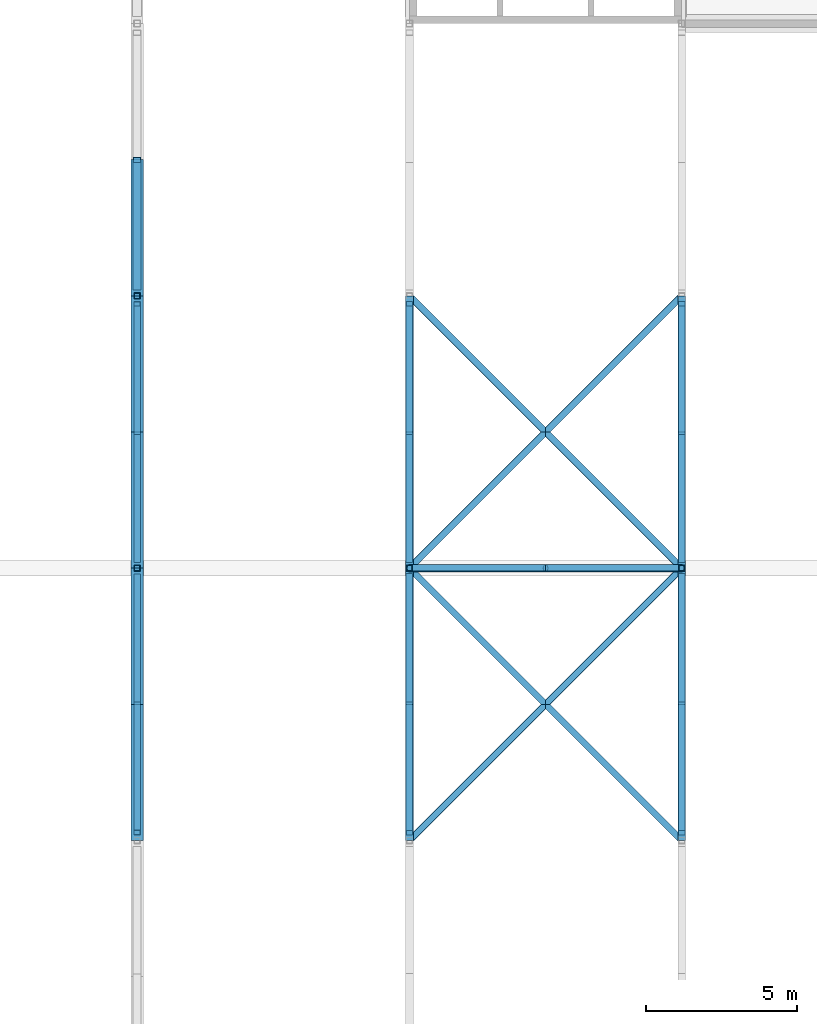
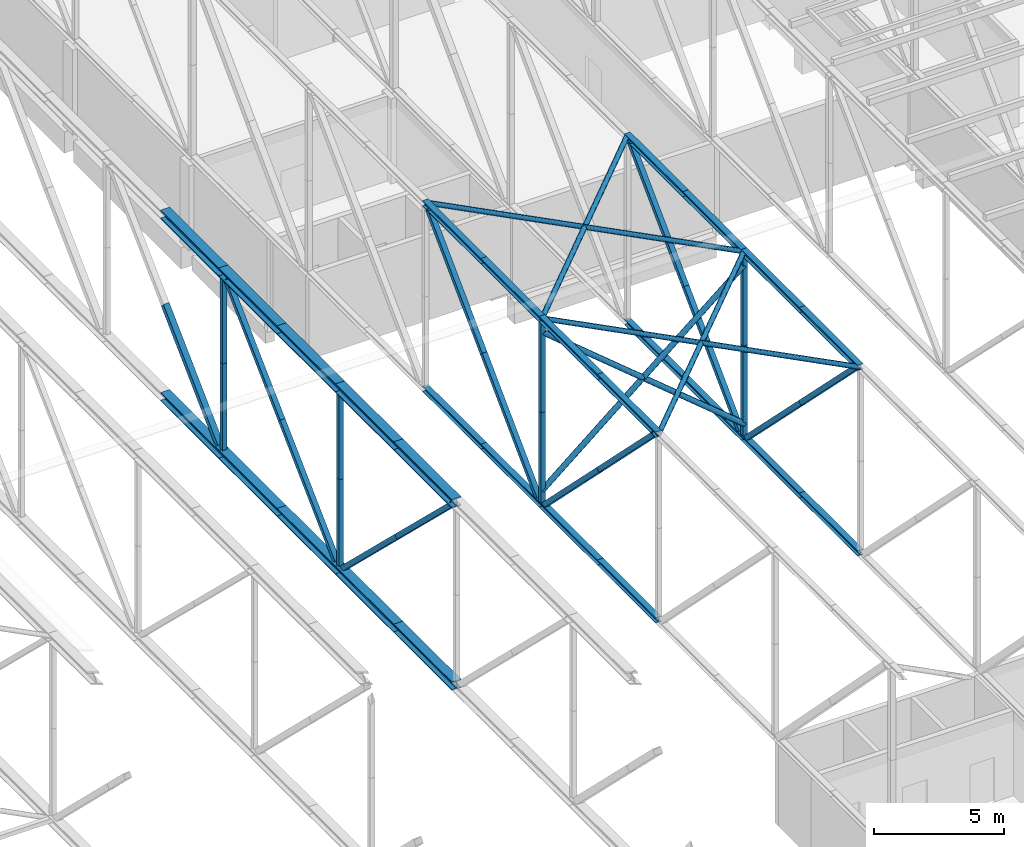
# One storey, part 73 of 646: 59 members.
"""IFC4 building model written with IfcOpenShell, lengths in metres."""

from ifc_helpers import new_model, si_unit, direction, frame, origin, origin_2d, place, context, subcontext, project, spatial, hollow_rectangle, hollow_circle, i_section, extrude, material, material_profile, profile_set, type_object, element, save


model = new_model("IFC4")

# Units and contexts
model_context = context("Model", 3, precision=1e-05, world=origin(), true_north=direction((0.0, 1.0)))
body_context = subcontext(model_context, "Body", "Model", "MODEL_VIEW")
ifc_project = project(units=[si_unit("LENGTHUNIT", "METRE"), si_unit("AREAUNIT", "SQUARE_METRE"), si_unit("VOLUMEUNIT", "CUBIC_METRE"), si_unit("PLANEANGLEUNIT", "RADIAN"), si_unit("MASSUNIT", "GRAM", prefix="KILO")], contexts=[model_context])

# Site, building, storey
site_placement = place(None, origin())
site = spatial("IfcSite", under=ifc_project, at=site_placement, CompositionType="ELEMENT")
building_placement = place(site_placement, origin())
building = spatial("IfcBuilding", under=site, at=building_placement, Name="Silverbay Arena", CompositionType="ELEMENT")
storey_placement = place(building_placement, frame((0.0, 0.0, 33.5)))
storey = spatial("IfcBuildingStorey", under=building, at=storey_placement, Name="L05", CompositionType="ELEMENT", Elevation=33.5)

# Members
ifc_material_1 = material(Name="Steel S355", Category="steel")
ifc_material_profile_1 = material_profile(ifc_material_1, i_section(OverallWidth=0.403076171875, OverallDepth=0.406494140625, WebThickness=0.026611328125, FlangeThickness=0.04296875, at=origin_2d()), Name="UC 356x406x340")
ifc_profile_set_1 = profile_set([ifc_material_profile_1], Name="Steel S355")
member_type_1 = type_object("IfcMemberType", Name="Main-span bottom chord UC 356x406x340", PredefinedType="CHORD", material=ifc_profile_set_1)
for number, where, z_axis, x_axis, name in (
    (1, (153.0, 72.0, 4.203125), (0.0, 1.0, 0.0), (-1.0, 0.0, 0.0), "ROOF TRUSS 18 bottom chord 08a"),
    (2, (153.0, 76.5, 4.203125), (0.0, 1.0, 0.0), (-1.0, 0.0, 0.0), "ROOF TRUSS 18 bottom chord 08b"),
    (3, (153.0, 81.0, 4.203125), (0.0, 1.0, 0.0), (-1.0, 0.0, 0.0), "ROOF TRUSS 18 bottom chord 09a"),
    (4, (153.0, 85.5, 4.203125), (0.0, 1.0, 0.0), (-1.0, 0.0, 0.0), "ROOF TRUSS 18 bottom chord 09b"),
    (5, (153.0, 90.0, 4.203125), (0.0, 1.0, 0.0), (-1.0, 0.0, 0.0), "ROOF TRUSS 18 bottom chord 10a"),
):
    element("IfcMember", number, at=place(storey_placement, frame(where, z_axis=z_axis, x_axis=x_axis)), inside=storey, type_object=member_type_1, Name=name, PredefinedType="CHORD", context=body_context, shape_type="SweptSolid", body=[
        extrude(i_section(OverallWidth=0.403076171875, OverallDepth=0.406494140625, WebThickness=0.026611328125, FlangeThickness=0.04296875, at=origin_2d()), origin(), (0.0, 0.0, 1.0), 4.5),
    ])
ifc_material_2 = material(Name="Steel S355", Category="steel")
ifc_material_profile_2 = material_profile(ifc_material_2, i_section(OverallWidth=0.406982421875, OverallDepth=0.4189453125, WebThickness=0.030517578125, FlangeThickness=0.04931640625, at=origin_2d()), Name="UC 356x406x393")
ifc_profile_set_2 = profile_set([ifc_material_profile_2], Name="Steel S355")
member_type_2 = type_object("IfcMemberType", Name="Main-span top chord UC 356x406x393", PredefinedType="CHORD", material=ifc_profile_set_2)
for number, where, z_axis, x_axis, name in (
    (6, (153.0, 72.0, 12.79052734375), (0.0, 1.0, 0.0), (-1.0, 0.0, 0.0), "ROOF TRUSS 18 top chord 08a"),
    (7, (153.0, 76.5, 12.79052734375), (0.0, 1.0, 0.0), (-1.0, 0.0, 0.0), "ROOF TRUSS 18 top chord 08b"),
    (8, (153.0, 81.0, 12.79052734375), (0.0, 1.0, 0.0), (-1.0, 0.0, 0.0), "ROOF TRUSS 18 top chord 09a"),
    (9, (153.0, 85.5, 12.79052734375), (0.0, 1.0, 0.0), (-1.0, 0.0, 0.0), "ROOF TRUSS 18 top chord 09b"),
    (10, (153.0, 90.0, 12.79052734375), (0.0, 1.0, 0.0), (-1.0, 0.0, 0.0), "ROOF TRUSS 18 top chord 10a"),
):
    element("IfcMember", number, at=place(storey_placement, frame(where, z_axis=z_axis, x_axis=x_axis)), inside=storey, type_object=member_type_2, Name=name, PredefinedType="CHORD", context=body_context, shape_type="SweptSolid", body=[
        extrude(i_section(OverallWidth=0.406982421875, OverallDepth=0.4189453125, WebThickness=0.030517578125, FlangeThickness=0.04931640625, at=origin_2d()), origin(), (0.0, 0.0, 1.0), 4.5),
    ])
ifc_material_3 = material(Name="Steel S355", Category="steel")
ifc_material_profile_3 = material_profile(ifc_material_3, hollow_rectangle(XDim=0.219970703125, YDim=0.219970703125, WallThickness=0.010009765625, at=origin_2d()), Name="SHS 220x220x10")
ifc_profile_set_3 = profile_set([ifc_material_profile_3], Name="Steel S355")
member_type_3 = type_object("IfcMemberType", Name="Main-span truss diagonal SHS 220x220x10", PredefinedType="BRACE", material=ifc_profile_set_3)
member_1_placement = place(storey_placement, frame((153.0, 72.263671875, 12.5810546875), z_axis=(0.0, 0.719642957034, -0.694344305364), x_axis=(-1.0, 0.0, 0.0)))
element("IfcMember", 11, at=member_1_placement, inside=storey, type_object=member_type_3, Name="ROOF TRUSS 18 diagonal 08a", PredefinedType="BRACE", context=body_context, shape_type="SweptSolid", body=[
    extrude(hollow_rectangle(XDim=0.219970703125, YDim=0.219970703125, WallThickness=0.010009765625, at=origin_2d()), origin(), (0.0, 0.0, 1.0), 5.88671875),
])
member_2_placement = place(storey_placement, frame((153.0, 76.5, 8.49365234375), z_axis=(0.0, 0.719663680638, -0.694322826047), x_axis=(-1.0, 0.0, 0.0)))
element("IfcMember", 12, at=member_2_placement, inside=storey, type_object=member_type_3, Name="ROOF TRUSS 18 diagonal 08b", PredefinedType="BRACE", context=body_context, shape_type="SweptSolid", body=[
    extrude(hollow_rectangle(XDim=0.219970703125, YDim=0.219970703125, WallThickness=0.010009765625, at=origin_2d()), origin(), (0.0, 0.0, 1.0), 5.886474609375),
])
member_3_placement = place(storey_placement, frame((153.0, 89.736328125, 12.5810546875), z_axis=(0.0, -0.719642957034, -0.694344305364), x_axis=(1.0, 0.0, 0.0)))
element("IfcMember", 13, at=member_3_placement, inside=storey, type_object=member_type_3, Name="ROOF TRUSS 18 diagonal 09a", PredefinedType="BRACE", context=body_context, shape_type="SweptSolid", body=[
    extrude(hollow_rectangle(XDim=0.219970703125, YDim=0.219970703125, WallThickness=0.010009765625, at=origin_2d()), origin(), (0.0, 0.0, 1.0), 5.88671875),
])
member_4_placement = place(storey_placement, frame((153.0, 85.5, 8.49365234375), z_axis=(0.0, -0.719663680638, -0.694322826047), x_axis=(1.0, 0.0, 0.0)))
element("IfcMember", 14, at=member_4_placement, inside=storey, type_object=member_type_3, Name="ROOF TRUSS 18 diagonal 09b", PredefinedType="BRACE", context=body_context, shape_type="SweptSolid", body=[
    extrude(hollow_rectangle(XDim=0.219970703125, YDim=0.219970703125, WallThickness=0.010009765625, at=origin_2d()), origin(), (0.0, 0.0, 1.0), 5.886474609375),
])
ifc_material_4 = material(Name="Steel S355", Category="steel")
ifc_material_profile_4 = material_profile(ifc_material_4, hollow_rectangle(XDim=0.260009765625, YDim=0.260009765625, WallThickness=0.012451171875, at=origin_2d()), Name="SHS 260x260x12.5")
ifc_profile_set_4 = profile_set([ifc_material_profile_4], Name="Steel S355")
member_type_4 = type_object("IfcMemberType", Name="Main-span truss diagonal SHS 260x260x12.5", PredefinedType="BRACE", material=ifc_profile_set_4)
member_5_placement = place(storey_placement, frame((153.0, 94.4951171875, 8.49365234375), z_axis=(0.0, -0.716806382858, -0.697272263534), x_axis=(1.0, 0.0, 0.0)))
element("IfcMember", 15, at=member_5_placement, inside=storey, type_object=member_type_4, Name="ROOF TRUSS 18 diagonal 10b", PredefinedType="BRACE", context=body_context, shape_type="SweptSolid", body=[
    extrude(hollow_rectangle(XDim=0.260009765625, YDim=0.260009765625, WallThickness=0.012451171875, at=origin_2d()), origin(), (0.0, 0.0, 1.0), 5.861572265625),
])
ifc_material_5 = material(Name="Steel S355", Category="steel")
ifc_material_profile_5 = material_profile(ifc_material_5, hollow_rectangle(XDim=0.199951171875, YDim=0.199951171875, WallThickness=0.008056640625, at=origin_2d()), Name="SHS 200x200x8")
ifc_profile_set_5 = profile_set([ifc_material_profile_5], Name="Steel S355")
member_type_5 = type_object("IfcMemberType", Name="Main-span truss vertical SHS 200x200x8", PredefinedType="STRUT", material=ifc_profile_set_5)
member_6_placement = place(storey_placement, frame((153.0, 81.0, 4.406494140625), z_axis=(0.0, 0.0, 1.0), x_axis=(1.0, 0.0, 0.0)))
element("IfcMember", 16, at=member_6_placement, inside=storey, type_object=member_type_5, Name="ROOF TRUSS 18 vertical 09a", PredefinedType="STRUT", context=body_context, shape_type="SweptSolid", body=[
    extrude(hollow_rectangle(XDim=0.199951171875, YDim=0.199951171875, WallThickness=0.008056640625, at=origin_2d()), origin(), (0.0, 0.0, 1.0), 4.087158203125),
])
member_7_placement = place(storey_placement, frame((153.0, 81.0, 8.49365234375), z_axis=(0.0, 0.0, 1.0), x_axis=(1.0, 0.0, 0.0)))
element("IfcMember", 17, at=member_7_placement, inside=storey, type_object=member_type_5, Name="ROOF TRUSS 18 vertical 09b", PredefinedType="STRUT", context=body_context, shape_type="SweptSolid", body=[
    extrude(hollow_rectangle(XDim=0.199951171875, YDim=0.199951171875, WallThickness=0.008056640625, at=origin_2d()), origin(), (0.0, 0.0, 1.0), 4.08740234375),
])
member_8_placement = place(storey_placement, frame((153.0, 90.0, 4.406494140625), z_axis=(0.0, 0.0, 1.0), x_axis=(1.0, 0.0, 0.0)))
element("IfcMember", 18, at=member_8_placement, inside=storey, type_object=member_type_5, Name="ROOF TRUSS 18 vertical 10a", PredefinedType="STRUT", context=body_context, shape_type="SweptSolid", body=[
    extrude(hollow_rectangle(XDim=0.199951171875, YDim=0.199951171875, WallThickness=0.008056640625, at=origin_2d()), origin(), (0.0, 0.0, 1.0), 4.087158203125),
])
member_9_placement = place(storey_placement, frame((153.0, 90.0, 8.49365234375), z_axis=(0.0, 0.0, 1.0), x_axis=(1.0, 0.0, 0.0)))
element("IfcMember", 19, at=member_9_placement, inside=storey, type_object=member_type_5, Name="ROOF TRUSS 18 vertical 10b", PredefinedType="STRUT", context=body_context, shape_type="SweptSolid", body=[
    extrude(hollow_rectangle(XDim=0.199951171875, YDim=0.199951171875, WallThickness=0.008056640625, at=origin_2d()), origin(), (0.0, 0.0, 1.0), 4.08740234375),
])
ifc_material_6 = material(Name="Steel S355", Category="steel")
ifc_material_profile_6 = material_profile(ifc_material_6, i_section(OverallWidth=0.254638671875, OverallDepth=0.254150390625, WebThickness=0.008544921875, FlangeThickness=0.01416015625, at=origin_2d()), Name="UC 254x254x73")
ifc_profile_set_6 = profile_set([ifc_material_profile_6], Name="Steel S355")
member_type_6 = type_object("IfcMemberType", Name="Medium-span bottom chord UC 254x254x73", PredefinedType="CHORD", material=ifc_profile_set_6)
for number, where, z_axis, x_axis, name in (
    (20, (162.0, 72.0, 4.126953125), (0.0, 1.0, 0.0), (-1.0, 0.0, 0.0), "ROOF TRUSS 19 bottom chord 08a"),
    (21, (162.0, 76.5, 4.126953125), (0.0, 1.0, 0.0), (-1.0, 0.0, 0.0), "ROOF TRUSS 19 bottom chord 08b"),
    (22, (162.0, 81.0, 4.126953125), (0.0, 1.0, 0.0), (-1.0, 0.0, 0.0), "ROOF TRUSS 19 bottom chord 09a"),
    (23, (162.0, 85.5, 4.126953125), (0.0, 1.0, 0.0), (-1.0, 0.0, 0.0), "ROOF TRUSS 19 bottom chord 09b"),
    (24, (171.0, 72.0, 4.126953125), (0.0, 1.0, 0.0), (-1.0, 0.0, 0.0), "ROOF TRUSS 20 bottom chord 08a"),
    (25, (171.0, 76.5, 4.126953125), (0.0, 1.0, 0.0), (-1.0, 0.0, 0.0), "ROOF TRUSS 20 bottom chord 08b"),
    (26, (171.0, 81.0, 4.126953125), (0.0, 1.0, 0.0), (-1.0, 0.0, 0.0), "ROOF TRUSS 20 bottom chord 09a"),
    (27, (171.0, 85.5, 4.126953125), (0.0, 1.0, 0.0), (-1.0, 0.0, 0.0), "ROOF TRUSS 20 bottom chord 09b"),
):
    element("IfcMember", number, at=place(storey_placement, frame(where, z_axis=z_axis, x_axis=x_axis)), inside=storey, type_object=member_type_6, Name=name, PredefinedType="CHORD", context=body_context, shape_type="SweptSolid", body=[
        extrude(i_section(OverallWidth=0.254638671875, OverallDepth=0.254150390625, WebThickness=0.008544921875, FlangeThickness=0.01416015625, at=origin_2d()), origin(), (0.0, 0.0, 1.0), 4.5),
    ])
ifc_material_7 = material(Name="Steel S355", Category="steel")
ifc_material_profile_7 = material_profile(ifc_material_7, i_section(OverallWidth=0.2587890625, OverallDepth=0.2666015625, WebThickness=0.0126953125, FlangeThickness=0.0205078125, at=origin_2d()), Name="UC 254x254x107")
ifc_profile_set_7 = profile_set([ifc_material_profile_7], Name="Steel S355")
member_type_7 = type_object("IfcMemberType", Name="Medium-span top chord UC 254x254x107", PredefinedType="CHORD", material=ifc_profile_set_7)
for number, where, z_axis, x_axis, name in (
    (28, (162.0, 72.0, 12.86669921875), (0.0, 1.0, 0.0), (-1.0, 0.0, 0.0), "ROOF TRUSS 19 top chord 08a"),
    (29, (162.0, 76.5, 12.86669921875), (0.0, 1.0, 0.0), (-1.0, 0.0, 0.0), "ROOF TRUSS 19 top chord 08b"),
    (30, (162.0, 81.0, 12.86669921875), (0.0, 1.0, 0.0), (-1.0, 0.0, 0.0), "ROOF TRUSS 19 top chord 09a"),
    (31, (162.0, 85.5, 12.86669921875), (0.0, 1.0, 0.0), (-1.0, 0.0, 0.0), "ROOF TRUSS 19 top chord 09b"),
    (32, (171.0, 72.0, 12.86669921875), (0.0, 1.0, 0.0), (-1.0, 0.0, 0.0), "ROOF TRUSS 20 top chord 08a"),
    (33, (171.0, 76.5, 12.86669921875), (0.0, 1.0, 0.0), (-1.0, 0.0, 0.0), "ROOF TRUSS 20 top chord 08b"),
    (34, (171.0, 81.0, 12.86669921875), (0.0, 1.0, 0.0), (-1.0, 0.0, 0.0), "ROOF TRUSS 20 top chord 09a"),
    (35, (171.0, 85.5, 12.86669921875), (0.0, 1.0, 0.0), (-1.0, 0.0, 0.0), "ROOF TRUSS 20 top chord 09b"),
):
    element("IfcMember", number, at=place(storey_placement, frame(where, z_axis=z_axis, x_axis=x_axis)), inside=storey, type_object=member_type_7, Name=name, PredefinedType="CHORD", context=body_context, shape_type="SweptSolid", body=[
        extrude(i_section(OverallWidth=0.2587890625, OverallDepth=0.2666015625, WebThickness=0.0126953125, FlangeThickness=0.0205078125, at=origin_2d()), origin(), (0.0, 0.0, 1.0), 4.5),
    ])
ifc_material_8 = material(Name="Steel S355", Category="steel")
ifc_material_profile_8 = material_profile(ifc_material_8, hollow_rectangle(XDim=0.219970703125, YDim=0.219970703125, WallThickness=0.008056640625, at=origin_2d()), Name="SHS 220x220x8")
ifc_profile_set_8 = profile_set([ifc_material_profile_8], Name="Steel S355")
member_type_8 = type_object("IfcMemberType", Name="Medium-span truss diagonal SHS 220x220x8", PredefinedType="BRACE", material=ifc_profile_set_8)
member_10_placement = place(storey_placement, frame((162.0, 72.260498046875, 12.7333984375), z_axis=(0.0, 0.707086421365, -0.707127140422), x_axis=(-1.0, 0.0, 0.0)))
element("IfcMember", 36, at=member_10_placement, inside=storey, type_object=member_type_8, Name="ROOF TRUSS 19 diagonal 08a", PredefinedType="BRACE", context=body_context, shape_type="SweptSolid", body=[
    extrude(hollow_rectangle(XDim=0.219970703125, YDim=0.219970703125, WallThickness=0.008056640625, at=origin_2d()), origin(), (0.0, 0.0, 1.0), 5.995849609375),
])
member_11_placement = place(storey_placement, frame((162.0, 76.5, 8.49365234375), z_axis=(0.0, 0.707106781187, -0.707106781187), x_axis=(-1.0, 0.0, 0.0)))
element("IfcMember", 37, at=member_11_placement, inside=storey, type_object=member_type_8, Name="ROOF TRUSS 19 diagonal 08b", PredefinedType="BRACE", context=body_context, shape_type="SweptSolid", body=[
    extrude(hollow_rectangle(XDim=0.219970703125, YDim=0.219970703125, WallThickness=0.008056640625, at=origin_2d()), origin(), (0.0, 0.0, 1.0), 5.99560546875),
])
member_12_placement = place(storey_placement, frame((162.0, 89.739501953125, 12.7333984375), z_axis=(0.0, -0.707086421365, -0.707127140422), x_axis=(1.0, 0.0, 0.0)))
element("IfcMember", 38, at=member_12_placement, inside=storey, type_object=member_type_8, Name="ROOF TRUSS 19 diagonal 09a", PredefinedType="BRACE", context=body_context, shape_type="SweptSolid", body=[
    extrude(hollow_rectangle(XDim=0.219970703125, YDim=0.219970703125, WallThickness=0.008056640625, at=origin_2d()), origin(), (0.0, 0.0, 1.0), 5.995849609375),
])
member_13_placement = place(storey_placement, frame((162.0, 85.5, 8.49365234375), z_axis=(0.0, -0.707106781187, -0.707106781187), x_axis=(1.0, 0.0, 0.0)))
element("IfcMember", 39, at=member_13_placement, inside=storey, type_object=member_type_8, Name="ROOF TRUSS 19 diagonal 09b", PredefinedType="BRACE", context=body_context, shape_type="SweptSolid", body=[
    extrude(hollow_rectangle(XDim=0.219970703125, YDim=0.219970703125, WallThickness=0.008056640625, at=origin_2d()), origin(), (0.0, 0.0, 1.0), 5.99560546875),
])
member_14_placement = place(storey_placement, frame((171.0, 72.260498046875, 12.7333984375), z_axis=(0.0, 0.707086421365, -0.707127140422), x_axis=(-1.0, 0.0, 0.0)))
element("IfcMember", 40, at=member_14_placement, inside=storey, type_object=member_type_8, Name="ROOF TRUSS 20 diagonal 08a", PredefinedType="BRACE", context=body_context, shape_type="SweptSolid", body=[
    extrude(hollow_rectangle(XDim=0.219970703125, YDim=0.219970703125, WallThickness=0.008056640625, at=origin_2d()), origin(), (0.0, 0.0, 1.0), 5.995849609375),
])
member_15_placement = place(storey_placement, frame((171.0, 76.5, 8.49365234375), z_axis=(0.0, 0.707106781187, -0.707106781187), x_axis=(-1.0, 0.0, 0.0)))
element("IfcMember", 41, at=member_15_placement, inside=storey, type_object=member_type_8, Name="ROOF TRUSS 20 diagonal 08b", PredefinedType="BRACE", context=body_context, shape_type="SweptSolid", body=[
    extrude(hollow_rectangle(XDim=0.219970703125, YDim=0.219970703125, WallThickness=0.008056640625, at=origin_2d()), origin(), (0.0, 0.0, 1.0), 5.99560546875),
])
member_16_placement = place(storey_placement, frame((171.0, 89.739501953125, 12.7333984375), z_axis=(0.0, -0.707086421365, -0.707127140422), x_axis=(1.0, 0.0, 0.0)))
element("IfcMember", 42, at=member_16_placement, inside=storey, type_object=member_type_8, Name="ROOF TRUSS 20 diagonal 09a", PredefinedType="BRACE", context=body_context, shape_type="SweptSolid", body=[
    extrude(hollow_rectangle(XDim=0.219970703125, YDim=0.219970703125, WallThickness=0.008056640625, at=origin_2d()), origin(), (0.0, 0.0, 1.0), 5.995849609375),
])
member_17_placement = place(storey_placement, frame((171.0, 85.5, 8.49365234375), z_axis=(0.0, -0.707106781187, -0.707106781187), x_axis=(1.0, 0.0, 0.0)))
element("IfcMember", 43, at=member_17_placement, inside=storey, type_object=member_type_8, Name="ROOF TRUSS 20 diagonal 09b", PredefinedType="BRACE", context=body_context, shape_type="SweptSolid", body=[
    extrude(hollow_rectangle(XDim=0.219970703125, YDim=0.219970703125, WallThickness=0.008056640625, at=origin_2d()), origin(), (0.0, 0.0, 1.0), 5.99560546875),
])
ifc_material_9 = material(Name="Steel S355", Category="steel")
ifc_material_profile_9 = material_profile(ifc_material_9, hollow_rectangle(XDim=0.199951171875, YDim=0.199951171875, WallThickness=0.008056640625, at=origin_2d()), Name="SHS 200x200x8")
ifc_profile_set_9 = profile_set([ifc_material_profile_9], Name="Steel S355")
member_type_9 = type_object("IfcMemberType", Name="Medium-span truss vertical SHS 200x200x8", PredefinedType="STRUT", material=ifc_profile_set_9)
member_18_placement = place(storey_placement, frame((162.0, 81.0, 4.254150390625), z_axis=(0.0, 0.0, 1.0), x_axis=(1.0, 0.0, 0.0)))
element("IfcMember", 44, at=member_18_placement, inside=storey, type_object=member_type_9, Name="ROOF TRUSS 19 vertical 09a", PredefinedType="STRUT", context=body_context, shape_type="SweptSolid", body=[
    extrude(hollow_rectangle(XDim=0.199951171875, YDim=0.199951171875, WallThickness=0.008056640625, at=origin_2d()), origin(), (0.0, 0.0, 1.0), 4.239501953125),
])
member_19_placement = place(storey_placement, frame((162.0, 81.0, 8.49365234375), z_axis=(0.0, 0.0, 1.0), x_axis=(1.0, 0.0, 0.0)))
element("IfcMember", 45, at=member_19_placement, inside=storey, type_object=member_type_9, Name="ROOF TRUSS 19 vertical 09b", PredefinedType="STRUT", context=body_context, shape_type="SweptSolid", body=[
    extrude(hollow_rectangle(XDim=0.199951171875, YDim=0.199951171875, WallThickness=0.008056640625, at=origin_2d()), origin(), (0.0, 0.0, 1.0), 4.23974609375),
])
member_20_placement = place(storey_placement, frame((171.0, 81.0, 4.254150390625), z_axis=(0.0, 0.0, 1.0), x_axis=(1.0, 0.0, 0.0)))
element("IfcMember", 46, at=member_20_placement, inside=storey, type_object=member_type_9, Name="ROOF TRUSS 20 vertical 09a", PredefinedType="STRUT", context=body_context, shape_type="SweptSolid", body=[
    extrude(hollow_rectangle(XDim=0.199951171875, YDim=0.199951171875, WallThickness=0.008056640625, at=origin_2d()), origin(), (0.0, 0.0, 1.0), 4.239501953125),
])
member_21_placement = place(storey_placement, frame((171.0, 81.0, 8.49365234375), z_axis=(0.0, 0.0, 1.0), x_axis=(1.0, 0.0, 0.0)))
element("IfcMember", 47, at=member_21_placement, inside=storey, type_object=member_type_9, Name="ROOF TRUSS 20 vertical 09b", PredefinedType="STRUT", context=body_context, shape_type="SweptSolid", body=[
    extrude(hollow_rectangle(XDim=0.199951171875, YDim=0.199951171875, WallThickness=0.008056640625, at=origin_2d()), origin(), (0.0, 0.0, 1.0), 4.23974609375),
])
ifc_material_10 = material(Name="Steel S355", Category="steel")
ifc_material_profile_10 = material_profile(ifc_material_10, hollow_circle(Radius=0.109619140625, WallThickness=0.00634765625, at=origin_2d()), Name="CHS 219.1x6.3")
ifc_profile_set_10 = profile_set([ifc_material_profile_10], Name="Steel S355")
member_type_10 = type_object("IfcMemberType", Name="Plan bracing CHS 219.1x6.3", PredefinedType="BRACE", material=ifc_profile_set_10)
for number, where, z_axis, x_axis, name in (
    (48, (162.0, 72.0, 12.86669921875), (0.707106781187, 0.707106781187, 0.0), (-0.707106781187, 0.707106781187, 0.0), "ROOF BRACING top 19-20 panel 08 Aa"),
    (49, (166.5, 76.5, 12.86669921875), (0.707106781187, 0.707106781187, 0.0), (-0.707106781187, 0.707106781187, 0.0), "ROOF BRACING top 19-20 panel 08 Ab"),
    (50, (162.0, 81.0, 12.86669921875), (0.707106781187, -0.707106781187, 0.0), (0.707106781187, 0.707106781187, 0.0), "ROOF BRACING top 19-20 panel 08 Ba"),
    (51, (166.5, 76.5, 12.86669921875), (0.707106781187, -0.707106781187, 0.0), (0.707106781187, 0.707106781187, 0.0), "ROOF BRACING top 19-20 panel 08 Bb"),
    (52, (162.0, 81.0, 12.86669921875), (0.707106781187, 0.707106781187, 0.0), (-0.707106781187, 0.707106781187, 0.0), "ROOF BRACING top 19-20 panel 09 Aa"),
    (53, (166.5, 85.5, 12.86669921875), (0.707106781187, 0.707106781187, 0.0), (-0.707106781187, 0.707106781187, 0.0), "ROOF BRACING top 19-20 panel 09 Ab"),
    (54, (162.0, 90.0, 12.86669921875), (0.707106781187, -0.707106781187, 0.0), (0.707106781187, 0.707106781187, 0.0), "ROOF BRACING top 19-20 panel 09 Ba"),
    (55, (166.5, 85.5, 12.86669921875), (0.707106781187, -0.707106781187, 0.0), (0.707106781187, 0.707106781187, 0.0), "ROOF BRACING top 19-20 panel 09 Bb"),
):
    element("IfcMember", number, at=place(storey_placement, frame(where, z_axis=z_axis, x_axis=x_axis)), inside=storey, type_object=member_type_10, Name=name, PredefinedType="BRACE", context=body_context, shape_type="SweptSolid", body=[
        extrude(hollow_circle(Radius=0.109619140625, WallThickness=0.00634765625, at=origin_2d()), origin(), (0.0, 0.0, 1.0), 6.364013671875),
    ])
ifc_material_11 = material(Name="Steel S355", Category="steel")
ifc_material_profile_11 = material_profile(ifc_material_11, hollow_circle(Radius=0.122314453125, WallThickness=0.00634765625, at=origin_2d()), Name="CHS 244.5x6.3")
ifc_profile_set_11 = profile_set([ifc_material_profile_11], Name="Steel S355")
member_type_11 = type_object("IfcMemberType", Name="Vertical bracing CHS 244.5x6.3", PredefinedType="BRACE", material=ifc_profile_set_11)
for number, where, z_axis, x_axis, name in (
    (56, (162.0, 81.0, 4.754150390625), (0.769102962821, 0.0, 0.639124895916), (0.0, 1.0, 0.0), "ROOF BRACING vertical 19-20 line 09 Aa"),
    (57, (166.5, 81.0, 8.49365234375), (0.769082452189, 0.0, 0.639149576966), (0.0, 1.0, 0.0), "ROOF BRACING vertical 19-20 line 09 Ab"),
    (58, (162.0, 81.0, 12.2333984375), (0.769082452189, 0.0, -0.639149576966), (0.0, 1.0, 0.0), "ROOF BRACING vertical 19-20 line 09 Ba"),
    (59, (166.5, 81.0, 8.49365234375), (0.769102962821, 0.0, -0.639124895916), (0.0, 1.0, 0.0), "ROOF BRACING vertical 19-20 line 09 Bb"),
):
    element("IfcMember", number, at=place(storey_placement, frame(where, z_axis=z_axis, x_axis=x_axis)), inside=storey, type_object=member_type_11, Name=name, PredefinedType="BRACE", context=body_context, shape_type="SweptSolid", body=[
        extrude(hollow_circle(Radius=0.122314453125, WallThickness=0.00634765625, at=origin_2d()), origin(), (0.0, 0.0, 1.0), 5.85107421875),
    ])

save(model, "model.ifc")
